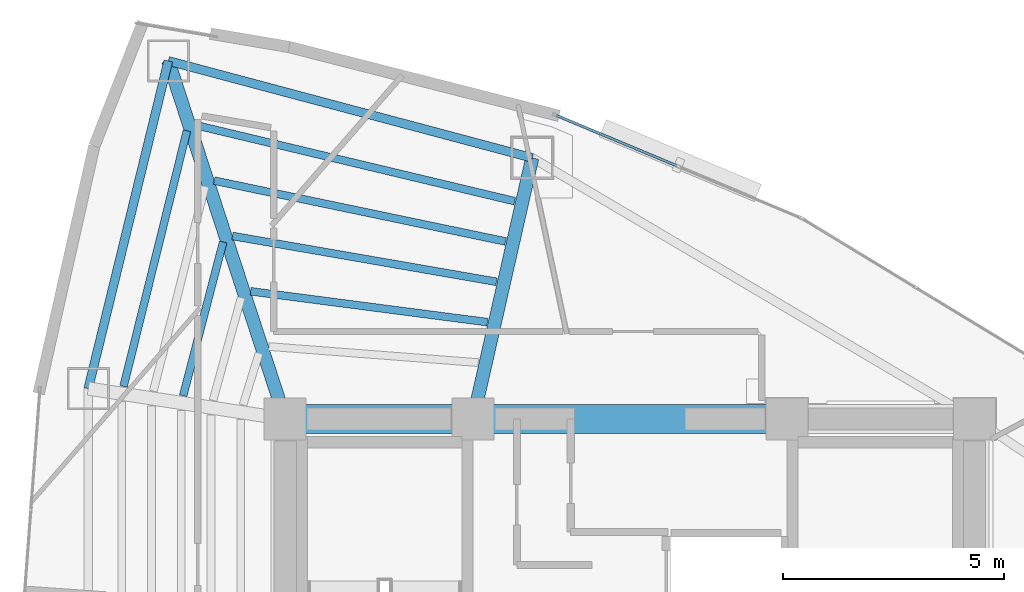
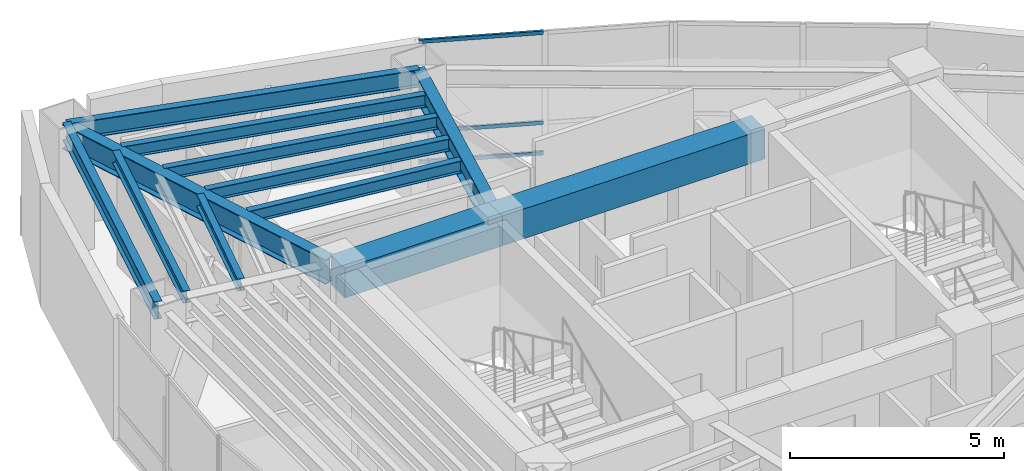
# One storey, part 8 of 15: 12 beams, 3 members, 1 element without a shape of its own.
"""IFC4 building model written with IfcOpenShell, lengths in metres."""

from ifc_helpers import new_model, si_unit, direction, frame, origin, origin_2d, place, context, subcontext, project, spatial, rectangle, hollow_rectangle, i_section, extrude, material, layer, layer_set, material_profile, profile_set, type_object, element, aggregate, save


model = new_model("IFC4")

# Units and contexts
model_context = context("Model", 3, precision=1e-05, world=origin(), true_north=direction((0.0, 1.0)))
body_context = subcontext(model_context, "Body", "Model", "MODEL_VIEW")
ifc_project = project(units=[si_unit("LENGTHUNIT", "METRE"), si_unit("AREAUNIT", "SQUARE_METRE"), si_unit("VOLUMEUNIT", "CUBIC_METRE"), si_unit("PLANEANGLEUNIT", "RADIAN"), si_unit("MASSUNIT", "GRAM", prefix="KILO")], contexts=[model_context])

# Site, building, storey
site_placement = place(None, origin())
site = spatial("IfcSite", under=ifc_project, at=site_placement, CompositionType="ELEMENT")
building_placement = place(site_placement, origin())
building = spatial("IfcBuilding", under=site, at=building_placement, Name="Menara Vayukalpa", CompositionType="ELEMENT")
storey_placement = place(building_placement, frame((0.0, 0.0, 223.260009765625)))
storey = spatial("IfcBuildingStorey", under=building, at=storey_placement, Name="L56", CompositionType="ELEMENT", Elevation=223.260009765625)

# Beams
ifc_material_1 = material(Name="Concrete C60/75", Category="concrete")
ifc_material_profile_1 = material_profile(ifc_material_1, rectangle(XDim=0.64990234375, YDim=0.85009765625, at=origin_2d()), Name="RC 650x850")
ifc_profile_set_1 = profile_set([ifc_material_profile_1], Name="Concrete C60/75")
beam_type_1 = type_object("IfcBeamType", Name="BM-CB1", PredefinedType="BEAM", material=ifc_profile_set_1)
beam_1_placement = place(storey_placement, frame((17.800048828125, 26.800048828125, 3.074951171875), z_axis=(1.0, 0.0, 0.0), x_axis=(0.0, 1.0, 0.0)))
element("IfcBeam", 1, at=beam_1_placement, inside=storey, type_object=beam_type_1, Name="L56 Core Tie Beam CBR4", PredefinedType="BEAM", context=body_context, shape_type="SweptSolid", body=[
    extrude(rectangle(XDim=0.64990234375, YDim=0.85009765625, at=origin_2d()), origin(), (0.0, 0.0, 1.0), 4.25),
])
beam_2_placement = place(storey_placement, frame((22.050048828125, 26.800048828125, 3.074951171875), z_axis=(1.0, 0.0, 0.0), x_axis=(0.0, 1.0, 0.0)))
element("IfcBeam", 2, at=beam_2_placement, inside=storey, type_object=beam_type_1, Name="L56 Core Tie Beam CBR5", PredefinedType="BEAM", context=body_context, shape_type="SweptSolid", body=[
    extrude(rectangle(XDim=0.64990234375, YDim=0.85009765625, at=origin_2d()), origin(), (0.0, 0.0, 1.0), 7.099853515625),
])
ifc_material_2 = material(Name="Steel S355", Category="steel")
ifc_material_profile_2 = material_profile(ifc_material_2, i_section(OverallWidth=0.300048828125, OverallDepth=0.699951171875, WebThickness=0.012939453125, FlangeThickness=0.02392578125, at=origin_2d()), Name="WF 700x300x13x24")
ifc_profile_set_2 = profile_set([ifc_material_profile_2], Name="Steel S355")
beam_type_2 = type_object("IfcBeamType", Name="BM-PG5", PredefinedType="BEAM", material=ifc_profile_set_2)
beam_3_placement = place(storey_placement, frame((22.105224609375, 27.043701171875, 3.14990234375), z_axis=(0.221085149161, 0.975254508741, 0.0), x_axis=(-0.975254508741, 0.221085149161, 0.0)))
element("IfcBeam", 3, at=beam_3_placement, inside=storey, type_object=beam_type_2, Name="L56 Primary Radial Girder RG03", PredefinedType="BEAM", context=body_context, shape_type="SweptSolid", body=[
    extrude(i_section(OverallWidth=0.300048828125, OverallDepth=0.699951171875, WebThickness=0.012939453125, FlangeThickness=0.02392578125, at=origin_2d()), origin(), (0.0, 0.0, 1.0), 5.80859375),
])
beam_4_placement = place(storey_placement, frame((17.722412109375, 27.03759765625, 3.14990234375), z_axis=(-0.310343552153, 0.950624468251, 0.0), x_axis=(-0.950624468251, -0.310343552153, 0.0)))
element("IfcBeam", 4, at=beam_4_placement, inside=storey, type_object=beam_type_2, Name="L56 Primary Radial Girder RG04", PredefinedType="BEAM", context=body_context, shape_type="SweptSolid", body=[
    extrude(i_section(OverallWidth=0.300048828125, OverallDepth=0.699951171875, WebThickness=0.012939453125, FlangeThickness=0.02392578125, at=origin_2d()), origin(), (0.0, 0.0, 1.0), 8.2734375),
])
ifc_material_3 = material(Name="Steel S355", Category="steel")
ifc_material_profile_3 = material_profile(ifc_material_3, i_section(OverallWidth=0.175048828125, OverallDepth=0.35009765625, WebThickness=0.007080078125, FlangeThickness=0.010986328125, at=origin_2d()), Name="WF 350x175x7x11")
ifc_profile_set_3 = profile_set([ifc_material_profile_3], Name="Steel S355")
beam_type_3 = type_object("IfcBeamType", Name="BM-SJ3", PredefinedType="JOIST", material=ifc_profile_set_3)
beam_5_placement = place(storey_placement, frame((22.373291015625, 28.99169921875, 3.324951171875), z_axis=(-0.991612506825, 0.129246417005, 0.0), x_axis=(-0.129246417005, -0.991612506825, 0.0)))
element("IfcBeam", 5, at=beam_5_placement, inside=storey, type_object=beam_type_3, Name="L56 Secondary Floor Joist SJ03-2", PredefinedType="JOIST", context=body_context, shape_type="SweptSolid", body=[
    extrude(i_section(OverallWidth=0.175048828125, OverallDepth=0.35009765625, WebThickness=0.007080078125, FlangeThickness=0.010986328125, at=origin_2d()), origin(), (0.0, 0.0, 1.0), 5.400634765625),
])
beam_6_placement = place(storey_placement, frame((22.579833984375, 29.905029296875, 3.324951171875), z_axis=(-0.985288498293, 0.170899312848, 0.0), x_axis=(-0.170899312848, -0.985288498293, 0.0)))
element("IfcBeam", 6, at=beam_6_placement, inside=storey, type_object=beam_type_3, Name="L56 Secondary Floor Joist SJ03-3", PredefinedType="JOIST", context=body_context, shape_type="SweptSolid", body=[
    extrude(i_section(OverallWidth=0.175048828125, OverallDepth=0.35009765625, WebThickness=0.007080078125, FlangeThickness=0.010986328125, at=origin_2d()), origin(), (0.0, 0.0, 1.0), 6.062744140625),
])
beam_7_placement = place(storey_placement, frame((22.786376953125, 30.817138671875, 3.324951171875), z_axis=(-0.978881984699, 0.204426172569, 0.0), x_axis=(-0.204426172569, -0.978881984699, 0.0)))
element("IfcBeam", 7, at=beam_7_placement, inside=storey, type_object=beam_type_3, Name="L56 Secondary Floor Joist SJ03-4", PredefinedType="JOIST", context=body_context, shape_type="SweptSolid", body=[
    extrude(i_section(OverallWidth=0.175048828125, OverallDepth=0.35009765625, WebThickness=0.007080078125, FlangeThickness=0.010986328125, at=origin_2d()), origin(), (0.0, 0.0, 1.0), 6.734619140625),
])
beam_8_placement = place(storey_placement, frame((22.992919921875, 31.728271484375, 3.324951171875), z_axis=(-0.972733016713, 0.23192774348, 0.0), x_axis=(-0.23192774348, -0.972733016713, 0.0)))
element("IfcBeam", 8, at=beam_8_placement, inside=storey, type_object=beam_type_3, Name="L56 Secondary Floor Joist SJ03-5", PredefinedType="JOIST", context=body_context, shape_type="SweptSolid", body=[
    extrude(i_section(OverallWidth=0.175048828125, OverallDepth=0.35009765625, WebThickness=0.007080078125, FlangeThickness=0.010986328125, at=origin_2d()), origin(), (0.0, 0.0, 1.0), 7.412841796875),
])
beam_9_placement = place(storey_placement, frame((16.395751953125, 30.8056640625, 3.324951171875), z_axis=(-0.251733131911, -0.967796688514, 0.0), x_axis=(0.967796688514, -0.251733131911, 0.0)))
element("IfcBeam", 9, at=beam_9_placement, inside=storey, type_object=beam_type_3, Name="L56 Secondary Floor Joist SJ04-3", PredefinedType="JOIST", context=body_context, shape_type="SweptSolid", body=[
    extrude(i_section(OverallWidth=0.175048828125, OverallDepth=0.35009765625, WebThickness=0.007080078125, FlangeThickness=0.010986328125, at=origin_2d()), origin(), (0.0, 0.0, 1.0), 3.59326171875),
])
beam_10_placement = place(storey_placement, frame((15.576171875, 33.322021484375, 3.324951171875), z_axis=(-0.240539929987, -0.970639244046, 0.0), x_axis=(0.970639244046, -0.240539929987, 0.0)))
element("IfcBeam", 10, at=beam_10_placement, inside=storey, type_object=beam_type_3, Name="L56 Secondary Floor Joist SJ04-5", PredefinedType="JOIST", context=body_context, shape_type="SweptSolid", body=[
    extrude(i_section(OverallWidth=0.175048828125, OverallDepth=0.35009765625, WebThickness=0.007080078125, FlangeThickness=0.010986328125, at=origin_2d()), origin(), (0.0, 0.0, 1.0), 5.9599609375),
])
ifc_material_4 = material(Name="Steel S355", Category="steel")
ifc_material_profile_4 = material_profile(ifc_material_4, i_section(OverallWidth=0.199951171875, OverallDepth=0.5, WebThickness=0.010009765625, FlangeThickness=0.01611328125, at=origin_2d()), Name="WF 500x200x10x16")
ifc_profile_set_4 = profile_set([ifc_material_profile_4], Name="Steel S355")
beam_type_4 = type_object("IfcBeamType", Name="BM-SP3", PredefinedType="SPANDREL", material=ifc_profile_set_4)
beam_11_placement = place(storey_placement, frame((23.389404296875, 32.70849609375, 3.25), z_axis=(-0.966287699272, 0.25746472037, 0.0), x_axis=(-0.25746472037, -0.966287699272, 0.0)))
element("IfcBeam", 11, at=beam_11_placement, inside=storey, type_object=beam_type_4, Name="L56 Perimeter Spandrel Beam SP03", PredefinedType="SPANDREL", context=body_context, shape_type="SweptSolid", body=[
    extrude(i_section(OverallWidth=0.199951171875, OverallDepth=0.5, WebThickness=0.010009765625, FlangeThickness=0.01611328125, at=origin_2d()), origin(), (0.0, 0.0, 1.0), 8.52197265625),
])
beam_12_placement = place(storey_placement, frame((15.15478515625, 34.902587890625, 3.25), z_axis=(-0.237285374413, -0.971439988414, 0.0), x_axis=(0.971439988414, -0.237285374413, 0.0)))
element("IfcBeam", 12, at=beam_12_placement, inside=storey, type_object=beam_type_4, Name="L56 Perimeter Spandrel Beam SP04", PredefinedType="SPANDREL", context=body_context, shape_type="SweptSolid", body=[
    extrude(i_section(OverallWidth=0.199951171875, OverallDepth=0.5, WebThickness=0.010009765625, FlangeThickness=0.01611328125, at=origin_2d()), origin(), (0.0, 0.0, 1.0), 7.63134765625),
])

# Curtain wall, members
ifc_material_5 = material(Name="Anodised Terracotta Aluminium Alloy 6063-T6", Category="masonry")
ifc_layer = layer(ifc_material_5, 0.139892578125)
ifc_layer_set = layer_set([ifc_layer], Name="Anodised Terracotta Aluminium Alloy 6063-T6")
curtain_wall_type = type_object("IfcCurtainWallType", Name="CW-CW5", PredefinedType="USERDEFINED", material=ifc_layer_set)
curtain_wall_placement = place(storey_placement, origin())
curtain_wall = element("IfcCurtainWall", 13, at=curtain_wall_placement, inside=storey, type_object=curtain_wall_type, Name="L56 High Rise Tapered Curtain Wall CW5 05", ObjectType="UNITISED", PredefinedType="USERDEFINED")
ifc_material_6 = material(Name="Anodised Terracotta Aluminium Alloy 6063-T6", Category="masonry")
ifc_material_profile_5 = material_profile(ifc_material_6, hollow_rectangle(XDim=0.06005859375, YDim=0.10498046875, WallThickness=0.0029296875, at=origin_2d()), Name="ALU 60x105x3")
ifc_profile_set_5 = profile_set([ifc_material_profile_5], Name="Anodised Terracotta Aluminium Alloy 6063-T6")
member_type = type_object("IfcMemberType", Name="CWT-CW5", PredefinedType="USERDEFINED", material=ifc_profile_set_5)
member_1_placement = place(storey_placement, frame((26.658447265625, 32.530029296875, 0.030029296875), z_axis=(-0.922543360613, 0.385893440976, 0.0), x_axis=(-0.385893440976, -0.922543360613, 0.0)))
member_1 = element("IfcMember", 14, at=member_1_placement, type_object=member_type, Name="CW5 transom 2.1", ObjectType="TRANSOM", PredefinedType="USERDEFINED", context=body_context, shape_type="SweptSolid", body=[
    extrude(hollow_rectangle(XDim=0.06005859375, YDim=0.10498046875, WallThickness=0.0029296875, at=origin_2d()), origin(), (0.0, 0.0, 1.0), 2.942626953125),
])
member_2_placement = place(storey_placement, frame((26.658447265625, 32.530029296875, 0.89990234375), z_axis=(-0.922543360613, 0.385893440976, 0.0), x_axis=(-0.385893440976, -0.922543360613, 0.0)))
member_2 = element("IfcMember", 15, at=member_2_placement, type_object=member_type, Name="CW5 transom 2.2", ObjectType="TRANSOM", PredefinedType="USERDEFINED", context=body_context, shape_type="SweptSolid", body=[
    extrude(hollow_rectangle(XDim=0.06005859375, YDim=0.10498046875, WallThickness=0.0029296875, at=origin_2d()), origin(), (0.0, 0.0, 1.0), 2.942626953125),
])
member_3_placement = place(storey_placement, frame((26.658447265625, 32.530029296875, 3.469970703125), z_axis=(-0.922543360613, 0.385893440976, 0.0), x_axis=(-0.385893440976, -0.922543360613, 0.0)))
member_3 = element("IfcMember", 16, at=member_3_placement, type_object=member_type, Name="CW5 transom 2.3", ObjectType="TRANSOM", PredefinedType="USERDEFINED", context=body_context, shape_type="SweptSolid", body=[
    extrude(hollow_rectangle(XDim=0.06005859375, YDim=0.10498046875, WallThickness=0.0029296875, at=origin_2d()), origin(), (0.0, 0.0, 1.0), 2.942626953125),
])
aggregate(curtain_wall, [member_1, member_2, member_3])

save(model, "model.ifc")
